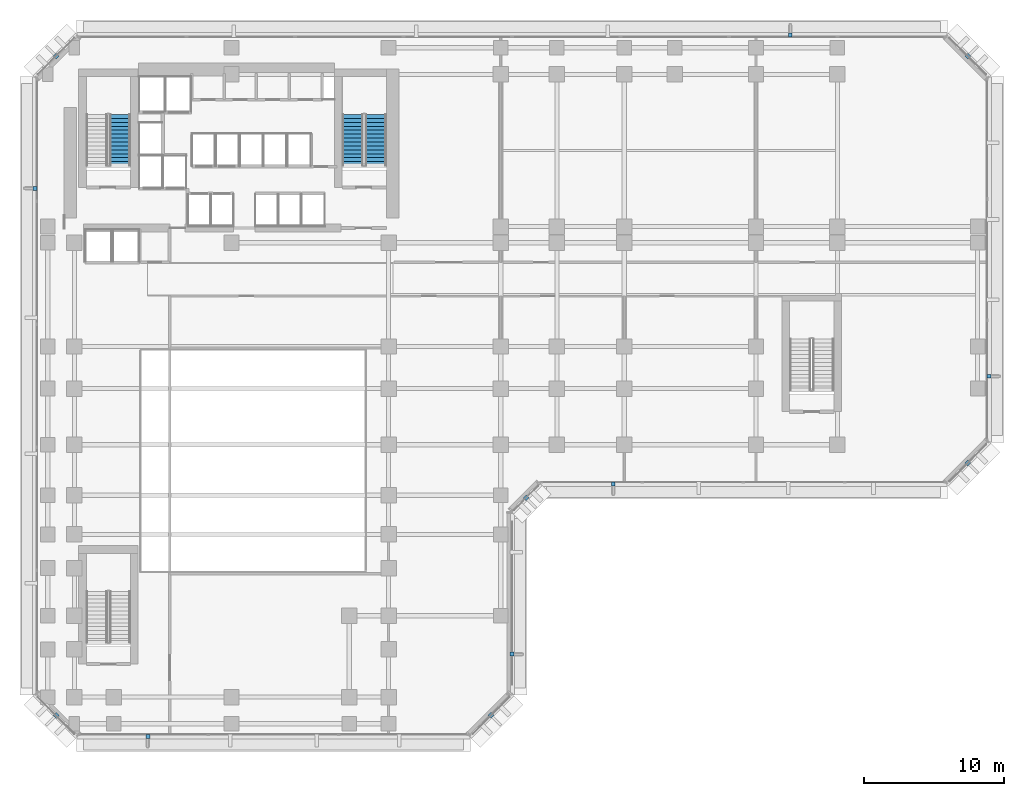
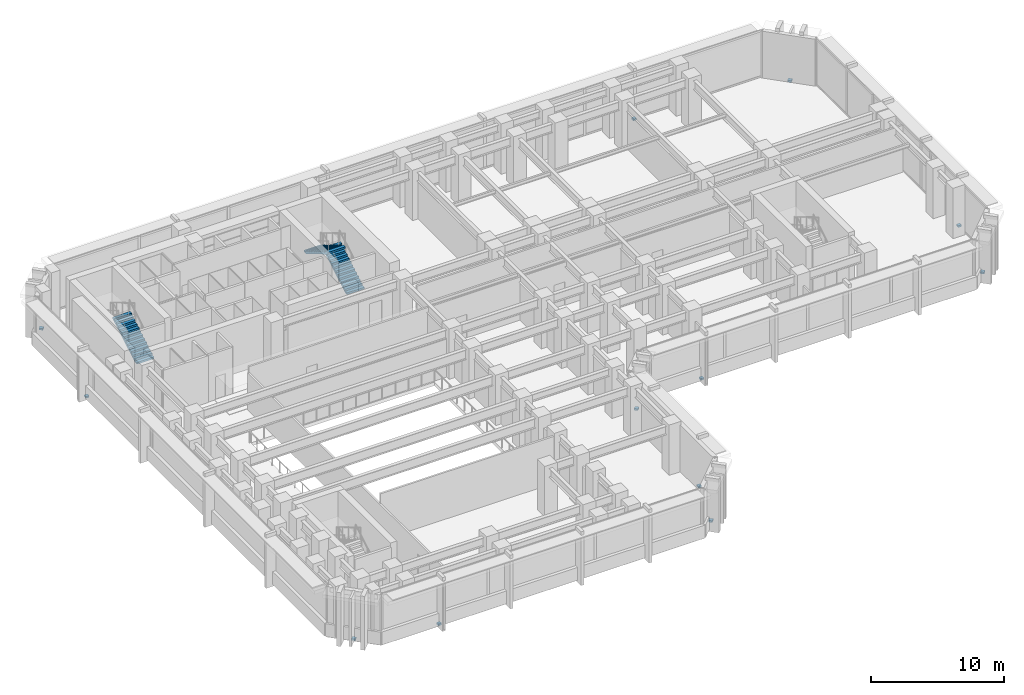
# One storey, part 9 of 16: 12 discrete accessories, 3 stair flights, 2 elements without a shape of their own.
"""IFC4 building model written with IfcOpenShell, lengths in metres."""

from ifc_helpers import new_model, si_unit, direction, frame, origin, origin_2d, place, context, subcontext, project, spatial, polyline, rectangle, outline, extrude, material, layer, layer_set, type_object, element, aggregate, save


model = new_model("IFC4")

# Units and contexts
model_context = context("Model", 3, precision=1e-05, world=origin(), true_north=direction((0.0, 1.0)))
body_context = subcontext(model_context, "Body", "Model", "MODEL_VIEW")
ifc_project = project(units=[si_unit("LENGTHUNIT", "METRE"), si_unit("AREAUNIT", "SQUARE_METRE"), si_unit("VOLUMEUNIT", "CUBIC_METRE"), si_unit("PLANEANGLEUNIT", "RADIAN"), si_unit("MASSUNIT", "GRAM", prefix="KILO")], contexts=[model_context])

# Site, building, storey
site_placement = place(None, origin())
site = spatial("IfcSite", under=ifc_project, at=site_placement, CompositionType="ELEMENT")
building_placement = place(site_placement, origin())
building = spatial("IfcBuilding", under=site, at=building_placement, Name="Kefirva Bronze Tower", CompositionType="ELEMENT")
storey_placement = place(building_placement, frame((0.0, 0.0, 16.5)))
storey = spatial("IfcBuildingStorey", under=building, at=storey_placement, Name="L03", CompositionType="ELEMENT", Elevation=16.5)

# Stair, stair flight
ifc_material_1 = material(Name="Concrete C40/50", Category="concrete")
stair_type = type_object("IfcStairType", Name="RC Dogleg Protected Stair 28R", PredefinedType="HALF_TURN_STAIR", material=ifc_material_1)
stair_1_placement = place(storey_placement, origin())
stair_1 = element("IfcStair", 1, at=stair_1_placement, inside=storey, type_object=stair_type, Name="L03 Protected Exit Stair 1", PredefinedType="HALF_TURN_STAIR")
stair_flight_type = type_object("IfcStairFlightType", Name="RC Straight Stair Flight 28R", PredefinedType="STRAIGHT", material=ifc_material_1)
stair_flight_1_placement = place(storey_placement, frame((4.050048828125, 38.699951171875, 0.0), z_axis=(0.0, 0.0, 1.0), x_axis=(0.0, 1.0, 0.0)))
stair_flight_1 = element("IfcStairFlight", 2, at=stair_flight_1_placement, type_object=stair_flight_type, Name="ST-1 flight 1", NumberOfRisers=14, NumberOfTreads=13, PredefinedType="STRAIGHT", RiserHeight=0.165, TreadLength=0.28, context=body_context, shape_type="SweptSolid", body=[
    extrude(outline(polyline([(0.0, 0.0), (0.0, 0.1650390625), (0.280029296875, 0.1650390625), (0.280029296875, 0.330078125), (0.56005859375, 0.330078125), (0.56005859375, 0.4951171875), (0.840087890625, 0.4951171875), (0.840087890625, 0.659912109375), (1.1201171875, 0.659912109375), (1.1201171875, 0.824951171875), (1.39990234375, 0.824951171875), (1.39990234375, 0.989990234375), (1.679931640625, 0.989990234375), (1.679931640625, 1.155029296875), (1.9599609375, 1.155029296875), (1.9599609375, 1.320068359375), (2.239990234375, 1.320068359375), (2.239990234375, 1.485107421875), (2.52001953125, 1.485107421875), (2.52001953125, 1.64990234375), (2.800048828125, 1.64990234375), (2.800048828125, 1.81494140625), (3.080078125, 1.81494140625), (3.080078125, 1.97998046875), (3.360107421875, 1.97998046875), (3.360107421875, 2.14501953125), (3.639892578125, 2.14501953125), (3.639892578125, 2.31005859375), (3.639892578125, 1.970947265625), (0.295166015625, 0.0), (0.0, 0.0)])), frame((0.0, 0.75, 0.0), z_axis=(0.0, -1.0, 0.0), x_axis=(1.0, 0.0, 0.0)), (0.0, 0.0, 1.0), 1.5),
])
aggregate(stair_1, [stair_flight_1])

# Stair, stair flights
stair_2_placement = place(storey_placement, origin())
stair_2 = element("IfcStair", 3, at=stair_2_placement, inside=storey, type_object=stair_type, Name="L03 Protected Exit Stair 2", PredefinedType="HALF_TURN_STAIR")
stair_flight_2_placement = place(storey_placement, frame((22.300048828125, 38.699951171875, 0.0), z_axis=(0.0, 0.0, 1.0), x_axis=(0.0, 1.0, 0.0)))
stair_flight_2 = element("IfcStairFlight", 4, at=stair_flight_2_placement, type_object=stair_flight_type, Name="ST-2 flight 1", NumberOfRisers=14, NumberOfTreads=13, PredefinedType="STRAIGHT", RiserHeight=0.165, TreadLength=0.28, context=body_context, shape_type="SweptSolid", body=[
    extrude(outline(polyline([(0.0, 0.0), (0.0, 0.1650390625), (0.280029296875, 0.1650390625), (0.280029296875, 0.330078125), (0.56005859375, 0.330078125), (0.56005859375, 0.4951171875), (0.840087890625, 0.4951171875), (0.840087890625, 0.659912109375), (1.1201171875, 0.659912109375), (1.1201171875, 0.824951171875), (1.39990234375, 0.824951171875), (1.39990234375, 0.989990234375), (1.679931640625, 0.989990234375), (1.679931640625, 1.155029296875), (1.9599609375, 1.155029296875), (1.9599609375, 1.320068359375), (2.239990234375, 1.320068359375), (2.239990234375, 1.485107421875), (2.52001953125, 1.485107421875), (2.52001953125, 1.64990234375), (2.800048828125, 1.64990234375), (2.800048828125, 1.81494140625), (3.080078125, 1.81494140625), (3.080078125, 1.97998046875), (3.360107421875, 1.97998046875), (3.360107421875, 2.14501953125), (3.639892578125, 2.14501953125), (3.639892578125, 2.31005859375), (3.639892578125, 1.970947265625), (0.295166015625, 0.0), (0.0, 0.0)])), frame((0.0, 0.75, 0.0), z_axis=(0.0, -1.0, 0.0), x_axis=(1.0, 0.0, 0.0)), (0.0, 0.0, 1.0), 1.5),
])
stair_flight_3_placement = place(storey_placement, frame((20.64990234375, 42.340087890625, 2.31005859375), z_axis=(0.0, 0.0, 1.0), x_axis=(0.0, -1.0, 0.0)))
stair_flight_3 = element("IfcStairFlight", 5, at=stair_flight_3_placement, type_object=stair_flight_type, Name="ST-2 flight 2", NumberOfRisers=14, NumberOfTreads=13, PredefinedType="STRAIGHT", RiserHeight=0.165, TreadLength=0.28, context=body_context, shape_type="SweptSolid", body=[
    extrude(outline(polyline([(0.0, 0.0), (0.0, 0.1650390625), (0.280029296875, 0.1650390625), (0.280029296875, 0.330078125), (0.56005859375, 0.330078125), (0.56005859375, 0.4951171875), (0.840087890625, 0.4951171875), (0.840087890625, 0.659912109375), (1.1201171875, 0.659912109375), (1.1201171875, 0.824951171875), (1.39990234375, 0.824951171875), (1.39990234375, 0.989990234375), (1.679931640625, 0.989990234375), (1.679931640625, 1.155029296875), (1.9599609375, 1.155029296875), (1.9599609375, 1.320068359375), (2.239990234375, 1.320068359375), (2.239990234375, 1.485107421875), (2.52001953125, 1.485107421875), (2.52001953125, 1.64990234375), (2.800048828125, 1.64990234375), (2.800048828125, 1.81494140625), (3.080078125, 1.81494140625), (3.080078125, 1.97998046875), (3.360107421875, 1.97998046875), (3.360107421875, 2.14501953125), (3.639892578125, 2.14501953125), (3.639892578125, 2.31005859375), (3.639892578125, 1.970947265625), (0.295166015625, 0.0), (0.0, 0.0)])), frame((0.0, 0.75, 0.0), z_axis=(0.0, -1.0, 0.0), x_axis=(1.0, 0.0, 0.0)), (0.0, 0.0, 1.0), 1.5),
])
aggregate(stair_2, [stair_flight_2, stair_flight_3])

# Discrete accessories
ifc_material_2 = material(Name="Stainless steel 316", Category="steel")
ifc_layer = layer(ifc_material_2, 0.159912109375, Name="Stainless steel 316")
ifc_layer_set = layer_set([ifc_layer], Name="Stainless steel 316")
discrete_accessory_type = type_object("IfcDiscreteAccessoryType", Name="Stainless Facade Outrigger Bracket", PredefinedType="BRACKET", material=ifc_layer_set)
discrete_accessory_1_placement = place(storey_placement, frame((6.0400390625, -2.0, -0.16015625), z_axis=(0.0, 0.0, 1.0), x_axis=(1.0, 0.0, 0.0)))
element("IfcDiscreteAccessory", 6, at=discrete_accessory_1_placement, inside=storey, type_object=discrete_accessory_type, Name="L03 Rib Outrigger Bracket 1", PredefinedType="BRACKET", context=body_context, shape_type="SweptSolid", body=[
    extrude(rectangle(XDim=0.280029296875, YDim=0.280029296875, at=origin_2d()), origin(), (0.0, 0.0, 1.0), 0.159912109375),
])
discrete_accessory_2_placement = place(storey_placement, frame((30.5, -0.5, -0.16015625), z_axis=(0.0, 0.0, 1.0), x_axis=(0.707106781187, 0.707106781187, 0.0)))
element("IfcDiscreteAccessory", 7, at=discrete_accessory_2_placement, inside=storey, type_object=discrete_accessory_type, Name="L03 Corner Fin Outrigger Bracket 6", PredefinedType="BRACKET", context=body_context, shape_type="SweptSolid", body=[
    extrude(rectangle(XDim=0.300048828125, YDim=0.300048828125, at=origin_2d()), origin(), (0.0, 0.0, 1.0), 0.159912109375),
])
discrete_accessory_3_placement = place(storey_placement, frame((32.0, 3.860107421875, -0.16015625), z_axis=(0.0, 0.0, 1.0), x_axis=(0.0, 1.0, 0.0)))
element("IfcDiscreteAccessory", 8, at=discrete_accessory_3_placement, inside=storey, type_object=discrete_accessory_type, Name="L03 Rib Outrigger Bracket 7", PredefinedType="BRACKET", context=body_context, shape_type="SweptSolid", body=[
    extrude(rectangle(XDim=0.280029296875, YDim=0.280029296875, at=origin_2d()), origin(), (0.0, 0.0, 1.0), 0.159912109375),
])
discrete_accessory_4_placement = place(storey_placement, frame((33.0, 15.0, -0.16015625), z_axis=(0.0, 0.0, 1.0), x_axis=(0.707106781187, 0.707106781187, 0.0)))
element("IfcDiscreteAccessory", 9, at=discrete_accessory_4_placement, inside=storey, type_object=discrete_accessory_type, Name="L03 Corner Fin Outrigger Bracket 10", PredefinedType="BRACKET", context=body_context, shape_type="SweptSolid", body=[
    extrude(rectangle(XDim=0.300048828125, YDim=0.300048828125, at=origin_2d()), origin(), (0.0, 0.0, 1.0), 0.159912109375),
])
discrete_accessory_5_placement = place(storey_placement, frame((39.219970703125, 16.0, -0.16015625), z_axis=(0.0, 0.0, 1.0), x_axis=(1.0, 0.0, 0.0)))
element("IfcDiscreteAccessory", 10, at=discrete_accessory_5_placement, inside=storey, type_object=discrete_accessory_type, Name="L03 Rib Outrigger Bracket 11", PredefinedType="BRACKET", context=body_context, shape_type="SweptSolid", body=[
    extrude(rectangle(XDim=0.280029296875, YDim=0.280029296875, at=origin_2d()), origin(), (0.0, 0.0, 1.0), 0.159912109375),
])
discrete_accessory_6_placement = place(storey_placement, frame((64.5, 17.5, -0.16015625), z_axis=(0.0, 0.0, 1.0), x_axis=(0.707106781187, 0.707106781187, 0.0)))
element("IfcDiscreteAccessory", 11, at=discrete_accessory_6_placement, inside=storey, type_object=discrete_accessory_type, Name="L03 Corner Fin Outrigger Bracket 16", PredefinedType="BRACKET", context=body_context, shape_type="SweptSolid", body=[
    extrude(rectangle(XDim=0.300048828125, YDim=0.300048828125, at=origin_2d()), origin(), (0.0, 0.0, 1.0), 0.159912109375),
])
discrete_accessory_7_placement = place(storey_placement, frame((66.0, 23.679931640625, -0.16015625), z_axis=(0.0, 0.0, 1.0), x_axis=(0.0, 1.0, 0.0)))
element("IfcDiscreteAccessory", 12, at=discrete_accessory_7_placement, inside=storey, type_object=discrete_accessory_type, Name="L03 Rib Outrigger Bracket 17", PredefinedType="BRACKET", context=body_context, shape_type="SweptSolid", body=[
    extrude(rectangle(XDim=0.280029296875, YDim=0.280029296875, at=origin_2d()), origin(), (0.0, 0.0, 1.0), 0.159912109375),
])
discrete_accessory_8_placement = place(storey_placement, frame((64.5, 46.5, -0.16015625), z_axis=(0.0, 0.0, 1.0), x_axis=(-0.707106781187, 0.707106781187, 0.0)))
element("IfcDiscreteAccessory", 13, at=discrete_accessory_8_placement, inside=storey, type_object=discrete_accessory_type, Name="L03 Corner Fin Outrigger Bracket 22", PredefinedType="BRACKET", context=body_context, shape_type="SweptSolid", body=[
    extrude(rectangle(XDim=0.300048828125, YDim=0.300048828125, at=origin_2d()), origin(), (0.0, 0.0, 1.0), 0.159912109375),
])
discrete_accessory_9_placement = place(storey_placement, frame((51.840087890625, 48.0, -0.16015625), z_axis=(0.0, 0.0, 1.0), x_axis=(-1.0, 0.0, 0.0)))
element("IfcDiscreteAccessory", 14, at=discrete_accessory_9_placement, inside=storey, type_object=discrete_accessory_type, Name="L03 Rib Outrigger Bracket 23", PredefinedType="BRACKET", context=body_context, shape_type="SweptSolid", body=[
    extrude(rectangle(XDim=0.280029296875, YDim=0.280029296875, at=origin_2d()), origin(), (0.0, 0.0, 1.0), 0.159912109375),
])
discrete_accessory_10_placement = place(storey_placement, frame((-0.5, 46.5, -0.16015625), z_axis=(0.0, 0.0, 1.0), x_axis=(-0.707106781187, -0.707106781187, 0.0)))
element("IfcDiscreteAccessory", 15, at=discrete_accessory_10_placement, inside=storey, type_object=discrete_accessory_type, Name="L03 Corner Fin Outrigger Bracket 28", PredefinedType="BRACKET", context=body_context, shape_type="SweptSolid", body=[
    extrude(rectangle(XDim=0.300048828125, YDim=0.300048828125, at=origin_2d()), origin(), (0.0, 0.0, 1.0), 0.159912109375),
])
discrete_accessory_11_placement = place(storey_placement, frame((-2.0, 37.080078125, -0.16015625), z_axis=(0.0, 0.0, 1.0), x_axis=(0.0, -1.0, 0.0)))
element("IfcDiscreteAccessory", 16, at=discrete_accessory_11_placement, inside=storey, type_object=discrete_accessory_type, Name="L03 Rib Outrigger Bracket 29", PredefinedType="BRACKET", context=body_context, shape_type="SweptSolid", body=[
    extrude(rectangle(XDim=0.280029296875, YDim=0.280029296875, at=origin_2d()), origin(), (0.0, 0.0, 1.0), 0.159912109375),
])
discrete_accessory_12_placement = place(storey_placement, frame((-0.5, -0.5, -0.16015625), z_axis=(0.0, 0.0, 1.0), x_axis=(0.707106781187, -0.707106781187, 0.0)))
element("IfcDiscreteAccessory", 17, at=discrete_accessory_12_placement, inside=storey, type_object=discrete_accessory_type, Name="L03 Corner Fin Outrigger Bracket 34", PredefinedType="BRACKET", context=body_context, shape_type="SweptSolid", body=[
    extrude(rectangle(XDim=0.300048828125, YDim=0.300048828125, at=origin_2d()), origin(), (0.0, 0.0, 1.0), 0.159912109375),
])

save(model, "model.ifc")
